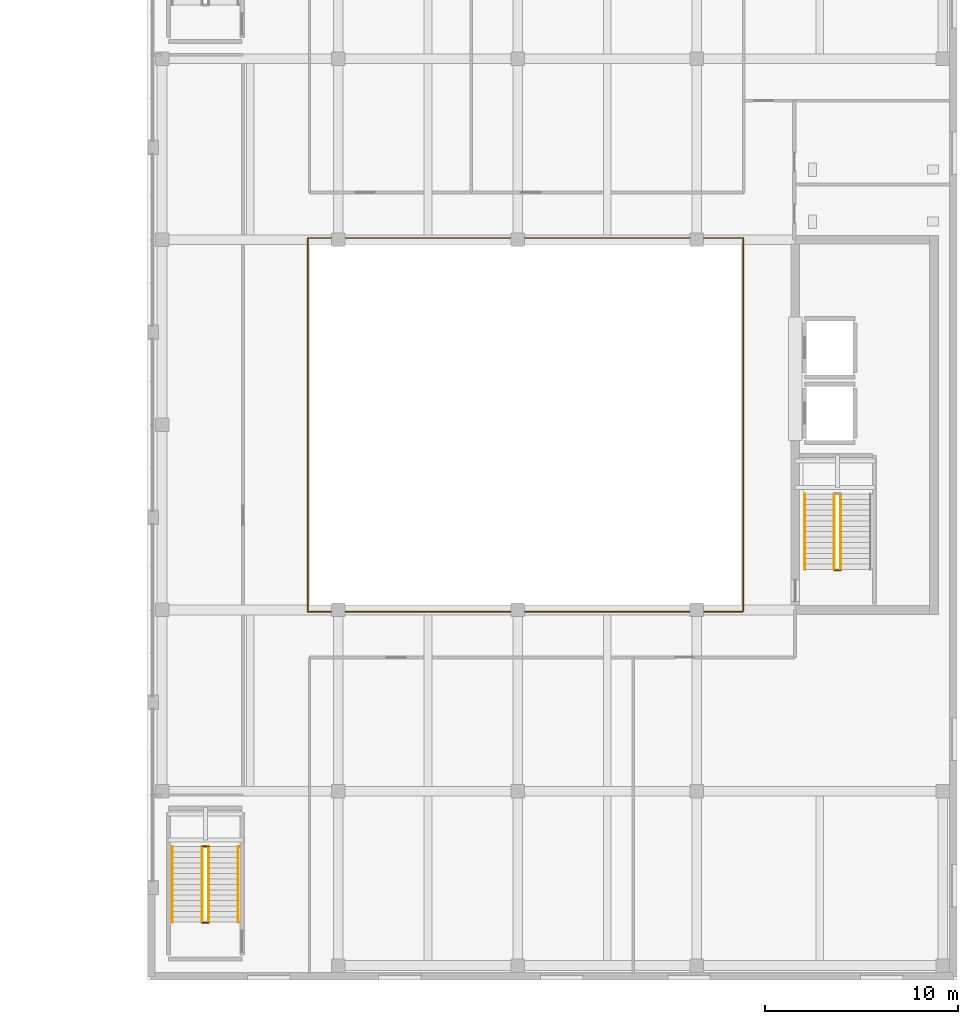
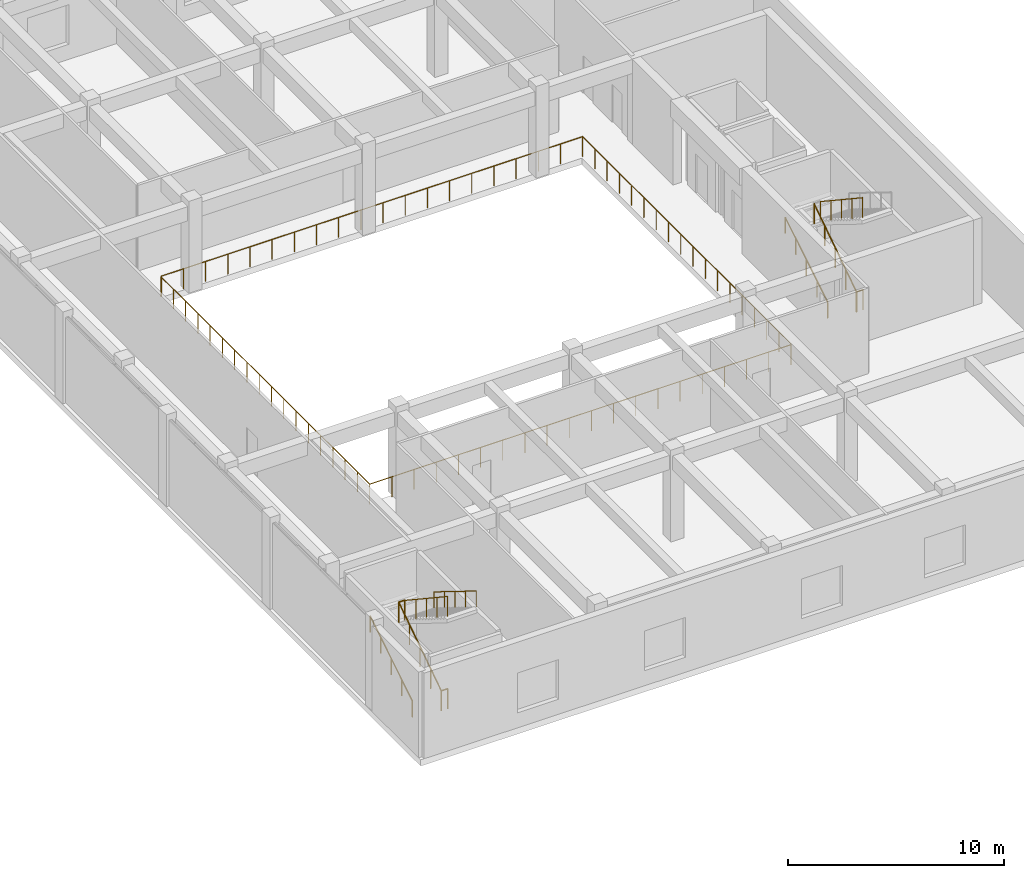
# One storey, part 20 of 22: 12 railings.
"""IFC4 building model written with IfcOpenShell, lengths in metres."""

from ifc_helpers import new_model, si_unit, direction, frame, origin, origin_2d, place, context, subcontext, project, spatial, circle, extrude, material, type_object, element, save


model = new_model("IFC4")

# Units and contexts
model_context = context("Model", 3, precision=1e-05, world=origin(), true_north=direction((0.0, 1.0)))
body_context = subcontext(model_context, "Body", "Model", "MODEL_VIEW")
ifc_project = project(units=[si_unit("LENGTHUNIT", "METRE"), si_unit("AREAUNIT", "SQUARE_METRE"), si_unit("VOLUMEUNIT", "CUBIC_METRE"), si_unit("PLANEANGLEUNIT", "RADIAN"), si_unit("MASSUNIT", "GRAM", prefix="KILO")], contexts=[model_context])

# Site, building, storey
site_placement = place(None, origin())
site = spatial("IfcSite", under=ifc_project, at=site_placement, CompositionType="ELEMENT")
building_placement = place(site_placement, origin())
building = spatial("IfcBuilding", under=site, at=building_placement, Name="Norrvale University Quadrangle", CompositionType="ELEMENT")
storey_placement = place(building_placement, frame((0.0, 0.0, 5.199951171875)))
storey = spatial("IfcBuildingStorey", under=building, at=storey_placement, Name="L01", CompositionType="ELEMENT", Elevation=5.199951171875)

# Railings
ifc_material_1 = material(Name="Steel 350W Painted Balustrade", Category="steel")
railing_type_1 = type_object("IfcRailingType", Name="Railing Stair Guard 1100", PredefinedType="GUARDRAIL", material=ifc_material_1)
railing_1_placement = place(storey_placement, frame((120.830078125, 21.27001953125, 0.0)))
element("IfcRailing", 1, at=railing_1_placement, inside=storey, type_object=railing_type_1, Name="Stair Floor Well Guard ST-L1 L01", PredefinedType="GUARDRAIL", context=body_context, shape_type="SweptSolid", body=[
    extrude(circle(Radius=0.02392578125, at=origin_2d()), frame((0.0, 0.0, 1.1259765625), z_axis=(1.0, 0.0, 0.0), x_axis=(0.0, 1.0, 0.0)), (0.0, 0.0, 1.0), 0.33984375),
    extrude(circle(Radius=0.02099609375, at=origin_2d()), origin(), (0.0, 0.0, 1.0), 1.101806640625),
    extrude(circle(Radius=0.02099609375, at=origin_2d()), frame((0.33984375, 0.0, 0.0)), (0.0, 0.0, 1.0), 1.101806640625),
])
railing_2_placement = place(storey_placement, frame((120.830078125, 21.300048828125, 0.0)))
element("IfcRailing", 2, at=railing_2_placement, inside=storey, type_object=railing_type_1, Name="Stair Lower Flight Inner Guard ST-L1 L01", PredefinedType="GUARDRAIL", context=body_context, shape_type="SweptSolid", body=[
    extrude(circle(Radius=0.02392578125, at=origin_2d()), frame((0.0, 0.0, 1.1259765625), z_axis=(0.0, 0.833341594215, 0.552758344444), x_axis=(-1.0, 0.0, 0.0)), (0.0, 0.0, 1.0), 4.703857421875),
    extrude(circle(Radius=0.02099609375, at=origin_2d()), origin(), (0.0, 0.0, 1.0), 1.101806640625),
    extrude(circle(Radius=0.02099609375, at=origin_2d()), frame((0.0, 0.97998046875, 0.64990234375)), (0.0, 0.0, 1.0), 1.101806640625),
    extrude(circle(Radius=0.02099609375, at=origin_2d()), frame((0.0, 1.9599609375, 1.300048828125)), (0.0, 0.0, 1.0), 1.101806640625),
    extrude(circle(Radius=0.02099609375, at=origin_2d()), frame((0.0, 2.93994140625, 1.9501953125)), (0.0, 0.0, 1.0), 1.101806640625),
    extrude(circle(Radius=0.02099609375, at=origin_2d()), frame((0.0, 3.919921875, 2.60009765625)), (0.0, 0.0, 1.0), 1.101806640625),
])
railing_3_placement = place(storey_placement, frame((121.169921875, 25.219970703125, 2.60009765625)))
element("IfcRailing", 3, at=railing_3_placement, inside=storey, type_object=railing_type_1, Name="Stair Upper Flight Inner Guard ST-L1 L01", PredefinedType="GUARDRAIL", context=body_context, shape_type="SweptSolid", body=[
    extrude(circle(Radius=0.02392578125, at=origin_2d()), frame((0.0, 0.0, 1.1259765625), z_axis=(0.0, -0.833365502166, 0.552722298989), x_axis=(1.0, 0.0, 0.0)), (0.0, 0.0, 1.0), 4.70361328125),
    extrude(circle(Radius=0.02099609375, at=origin_2d()), origin(), (0.0, 0.0, 1.0), 1.101806640625),
    extrude(circle(Radius=0.02099609375, at=origin_2d()), frame((0.0, -0.97998046875, 0.64990234375)), (0.0, 0.0, 1.0), 1.101806640625),
    extrude(circle(Radius=0.02099609375, at=origin_2d()), frame((0.0, -1.9599609375, 1.2998046875)), (0.0, 0.0, 1.0), 1.101806640625),
    extrude(circle(Radius=0.02099609375, at=origin_2d()), frame((0.0, -2.93994140625, 1.949951171875)), (0.0, 0.0, 1.0), 1.101806640625),
    extrude(circle(Radius=0.02099609375, at=origin_2d()), frame((0.0, -3.919921875, 2.599853515625)), (0.0, 0.0, 1.0), 1.101806640625),
])
for number, where, name in (
    (4, (88.030029296875, 2.969970703125, 0.0), "Stair Floor Well Guard ST-L2 L01"),
    (5, (88.030029296875, 6.949951171875, 2.60009765625), "Stair Mid-Landing Slot Guard ST-L2 L01"),
):
    element("IfcRailing", number, at=place(storey_placement, frame(where)), inside=storey, type_object=railing_type_1, Name=name, PredefinedType="GUARDRAIL", context=body_context, shape_type="SweptSolid", body=[
        extrude(circle(Radius=0.02392578125, at=origin_2d()), frame((0.0, 0.0, 1.1259765625), z_axis=(1.0, 0.0, 0.0), x_axis=(0.0, 1.0, 0.0)), (0.0, 0.0, 1.0), 0.340087890625),
        extrude(circle(Radius=0.02099609375, at=origin_2d()), origin(), (0.0, 0.0, 1.0), 1.101806640625),
        extrude(circle(Radius=0.02099609375, at=origin_2d()), frame((0.340087890625, 0.0, 0.0)), (0.0, 0.0, 1.0), 1.101806640625),
    ])
railing_4_placement = place(storey_placement, frame((88.030029296875, 3.0, 0.0)))
element("IfcRailing", 6, at=railing_4_placement, inside=storey, type_object=railing_type_1, Name="Stair Lower Flight Inner Guard ST-L2 L01", PredefinedType="GUARDRAIL", context=body_context, shape_type="SweptSolid", body=[
    extrude(circle(Radius=0.02392578125, at=origin_2d()), frame((0.0, 0.0, 1.1259765625), z_axis=(0.0, 0.833341594215, 0.552758344444), x_axis=(-1.0, 0.0, 0.0)), (0.0, 0.0, 1.0), 4.703857421875),
    extrude(circle(Radius=0.02099609375, at=origin_2d()), origin(), (0.0, 0.0, 1.0), 1.101806640625),
    extrude(circle(Radius=0.02099609375, at=origin_2d()), frame((0.0, 0.97998046875, 0.64990234375)), (0.0, 0.0, 1.0), 1.101806640625),
    extrude(circle(Radius=0.02099609375, at=origin_2d()), frame((0.0, 1.9599609375, 1.300048828125)), (0.0, 0.0, 1.0), 1.101806640625),
    extrude(circle(Radius=0.02099609375, at=origin_2d()), frame((0.0, 2.93994140625, 1.9501953125)), (0.0, 0.0, 1.0), 1.101806640625),
    extrude(circle(Radius=0.02099609375, at=origin_2d()), frame((0.0, 3.919921875, 2.60009765625)), (0.0, 0.0, 1.0), 1.101806640625),
])
railing_5_placement = place(storey_placement, frame((88.3701171875, 6.919921875, 2.60009765625)))
element("IfcRailing", 7, at=railing_5_placement, inside=storey, type_object=railing_type_1, Name="Stair Upper Flight Inner Guard ST-L2 L01", PredefinedType="GUARDRAIL", context=body_context, shape_type="SweptSolid", body=[
    extrude(circle(Radius=0.02392578125, at=origin_2d()), frame((0.0, 0.0, 1.1259765625), z_axis=(0.0, -0.833365502166, 0.552722298989), x_axis=(1.0, 0.0, 0.0)), (0.0, 0.0, 1.0), 4.70361328125),
    extrude(circle(Radius=0.02099609375, at=origin_2d()), origin(), (0.0, 0.0, 1.0), 1.101806640625),
    extrude(circle(Radius=0.02099609375, at=origin_2d()), frame((0.0, -0.97998046875, 0.64990234375)), (0.0, 0.0, 1.0), 1.101806640625),
    extrude(circle(Radius=0.02099609375, at=origin_2d()), frame((0.0, -1.9599609375, 1.2998046875)), (0.0, 0.0, 1.0), 1.101806640625),
    extrude(circle(Radius=0.02099609375, at=origin_2d()), frame((0.0, -2.93994140625, 1.949951171875)), (0.0, 0.0, 1.0), 1.101806640625),
    extrude(circle(Radius=0.02099609375, at=origin_2d()), frame((0.0, -3.919921875, 2.599853515625)), (0.0, 0.0, 1.0), 1.101806640625),
])
ifc_material_2 = material(Name="Stainless Steel 316L Handrail", Category="steel")
railing_type_2 = type_object("IfcRailingType", Name="Railing Stair Handrail 920", PredefinedType="HANDRAIL", material=ifc_material_2)
for number, where, name in (
    (8, (119.2900390625, 21.300048828125, 0.17333984375), "Stair Lower Flight Handrail ST-L1 L01"),
    (9, (86.489990234375, 3.0, 0.17333984375), "Stair Lower Flight Handrail ST-L2 L01"),
):
    element("IfcRailing", number, at=place(storey_placement, frame(where)), inside=storey, type_object=railing_type_2, Name=name, PredefinedType="HANDRAIL", context=body_context, shape_type="SweptSolid", body=[
        extrude(circle(Radius=0.02392578125, at=origin_2d()), frame((0.0, 0.0, 0.89599609375), z_axis=(0.0, 0.850251603719, 0.526376491091), x_axis=(-1.0, 0.0, 0.0)), (0.0, 0.0, 1.0), 4.6103515625),
        extrude(circle(Radius=0.02099609375, at=origin_2d()), origin(), (0.0, 0.0, 1.0), 0.871826171875),
        extrude(circle(Radius=0.02099609375, at=origin_2d()), frame((0.0, 0.97998046875, 0.606689453125)), (0.0, 0.0, 1.0), 0.871826171875),
        extrude(circle(Radius=0.02099609375, at=origin_2d()), frame((0.0, 1.9599609375, 1.21337890625)), (0.0, 0.0, 1.0), 0.871826171875),
        extrude(circle(Radius=0.02099609375, at=origin_2d()), frame((0.0, 2.93994140625, 1.820068359375)), (0.0, 0.0, 1.0), 0.871826171875),
        extrude(circle(Radius=0.02099609375, at=origin_2d()), frame((0.0, 3.919921875, 2.4267578125)), (0.0, 0.0, 1.0), 0.871826171875),
    ])
railing_6_placement = place(storey_placement, frame((89.909912109375, 6.919921875, 2.7734375)))
element("IfcRailing", 10, at=railing_6_placement, inside=storey, type_object=railing_type_2, Name="Stair Upper Flight Handrail ST-L2 L01", PredefinedType="HANDRAIL", context=body_context, shape_type="SweptSolid", body=[
    extrude(circle(Radius=0.02392578125, at=origin_2d()), frame((0.0, 0.0, 0.89599609375), z_axis=(0.0, -0.850275303828, 0.526338206574), x_axis=(1.0, 0.0, 0.0)), (0.0, 0.0, 1.0), 4.610107421875),
    extrude(circle(Radius=0.02099609375, at=origin_2d()), origin(), (0.0, 0.0, 1.0), 0.871826171875),
    extrude(circle(Radius=0.02099609375, at=origin_2d()), frame((0.0, -0.97998046875, 0.606689453125)), (0.0, 0.0, 1.0), 0.871826171875),
    extrude(circle(Radius=0.02099609375, at=origin_2d()), frame((0.0, -1.9599609375, 1.21337890625)), (0.0, 0.0, 1.0), 0.871826171875),
    extrude(circle(Radius=0.02099609375, at=origin_2d()), frame((0.0, -2.93994140625, 1.81982421875)), (0.0, 0.0, 1.0), 0.871826171875),
    extrude(circle(Radius=0.02099609375, at=origin_2d()), frame((0.0, -3.919921875, 2.426513671875)), (0.0, 0.0, 1.0), 0.871826171875),
])
ifc_material_3 = material(Name="Stainless Steel 316L Balustrade", Category="steel")
railing_type_3 = type_object("IfcRailingType", Name="Railing Terrace Guard 1150", PredefinedType="BALUSTRADE", material=ifc_material_3)
railing_7_placement = place(storey_placement, frame((93.5, 38.4599609375, 0.0)))
element("IfcRailing", 11, at=railing_7_placement, inside=storey, type_object=railing_type_3, Name="Central Library Atrium Balustrade SW L01", PredefinedType="BALUSTRADE", context=body_context, shape_type="SweptSolid", body=[
    extrude(circle(Radius=0.02392578125, at=origin_2d()), frame((0.0, 0.0, 1.1259765625), z_axis=(0.0, -1.0, 0.0), x_axis=(1.0, 0.0, 0.0)), (0.0, 0.0, 1.0), 19.35986328125),
    extrude(circle(Radius=0.02392578125, at=origin_2d()), frame((0.0, -19.35986328125, 1.1259765625), z_axis=(1.0, 0.0, 0.0), x_axis=(0.0, 1.0, 0.0)), (0.0, 0.0, 1.0), 22.56005859375),
    extrude(circle(Radius=0.02099609375, at=origin_2d()), origin(), (0.0, 0.0, 1.0), 1.101806640625),
    extrude(circle(Radius=0.02099609375, at=origin_2d()), frame((0.0, -1.138916015625, 0.0)), (0.0, 0.0, 1.0), 1.101806640625),
    extrude(circle(Radius=0.02099609375, at=origin_2d()), frame((0.0, -2.277587890625, 0.0)), (0.0, 0.0, 1.0), 1.101806640625),
    extrude(circle(Radius=0.02099609375, at=origin_2d()), frame((0.0, -3.41650390625, 0.0)), (0.0, 0.0, 1.0), 1.101806640625),
    extrude(circle(Radius=0.02099609375, at=origin_2d()), frame((0.0, -4.55517578125, 0.0)), (0.0, 0.0, 1.0), 1.101806640625),
    extrude(circle(Radius=0.02099609375, at=origin_2d()), frame((0.0, -5.694091796875, 0.0)), (0.0, 0.0, 1.0), 1.101806640625),
    extrude(circle(Radius=0.02099609375, at=origin_2d()), frame((0.0, -6.8330078125, 0.0)), (0.0, 0.0, 1.0), 1.101806640625),
    extrude(circle(Radius=0.02099609375, at=origin_2d()), frame((0.0, -7.9716796875, 0.0)), (0.0, 0.0, 1.0), 1.101806640625),
    extrude(circle(Radius=0.02099609375, at=origin_2d()), frame((0.0, -9.110595703125, 0.0)), (0.0, 0.0, 1.0), 1.101806640625),
    extrude(circle(Radius=0.02099609375, at=origin_2d()), frame((0.0, -10.249267578125, 0.0)), (0.0, 0.0, 1.0), 1.101806640625),
    extrude(circle(Radius=0.02099609375, at=origin_2d()), frame((0.0, -11.38818359375, 0.0)), (0.0, 0.0, 1.0), 1.101806640625),
    extrude(circle(Radius=0.02099609375, at=origin_2d()), frame((0.0, -12.52685546875, 0.0)), (0.0, 0.0, 1.0), 1.101806640625),
    extrude(circle(Radius=0.02099609375, at=origin_2d()), frame((0.0, -13.665771484375, 0.0)), (0.0, 0.0, 1.0), 1.101806640625),
    extrude(circle(Radius=0.02099609375, at=origin_2d()), frame((0.0, -14.8046875, 0.0)), (0.0, 0.0, 1.0), 1.101806640625),
    extrude(circle(Radius=0.02099609375, at=origin_2d()), frame((0.0, -15.943359375, 0.0)), (0.0, 0.0, 1.0), 1.101806640625),
    extrude(circle(Radius=0.02099609375, at=origin_2d()), frame((0.0, -17.082275390625, 0.0)), (0.0, 0.0, 1.0), 1.101806640625),
    extrude(circle(Radius=0.02099609375, at=origin_2d()), frame((0.0, -18.220947265625, 0.0)), (0.0, 0.0, 1.0), 1.101806640625),
    extrude(circle(Radius=0.02099609375, at=origin_2d()), frame((0.0, -19.35986328125, 0.0)), (0.0, 0.0, 1.0), 1.101806640625),
    extrude(circle(Radius=0.02099609375, at=origin_2d()), frame((1.187255859375, -19.35986328125, 0.0)), (0.0, 0.0, 1.0), 1.101806640625),
    extrude(circle(Radius=0.02099609375, at=origin_2d()), frame((2.374755859375, -19.35986328125, 0.0)), (0.0, 0.0, 1.0), 1.101806640625),
    extrude(circle(Radius=0.02099609375, at=origin_2d()), frame((3.56201171875, -19.35986328125, 0.0)), (0.0, 0.0, 1.0), 1.101806640625),
    extrude(circle(Radius=0.02099609375, at=origin_2d()), frame((4.74951171875, -19.35986328125, 0.0)), (0.0, 0.0, 1.0), 1.101806640625),
    extrude(circle(Radius=0.02099609375, at=origin_2d()), frame((5.936767578125, -19.35986328125, 0.0)), (0.0, 0.0, 1.0), 1.101806640625),
    extrude(circle(Radius=0.02099609375, at=origin_2d()), frame((7.124267578125, -19.35986328125, 0.0)), (0.0, 0.0, 1.0), 1.101806640625),
    extrude(circle(Radius=0.02099609375, at=origin_2d()), frame((8.3115234375, -19.35986328125, 0.0)), (0.0, 0.0, 1.0), 1.101806640625),
    extrude(circle(Radius=0.02099609375, at=origin_2d()), frame((9.4990234375, -19.35986328125, 0.0)), (0.0, 0.0, 1.0), 1.101806640625),
    extrude(circle(Radius=0.02099609375, at=origin_2d()), frame((10.686279296875, -19.35986328125, 0.0)), (0.0, 0.0, 1.0), 1.101806640625),
    extrude(circle(Radius=0.02099609375, at=origin_2d()), frame((11.873779296875, -19.35986328125, 0.0)), (0.0, 0.0, 1.0), 1.101806640625),
    extrude(circle(Radius=0.02099609375, at=origin_2d()), frame((13.06103515625, -19.35986328125, 0.0)), (0.0, 0.0, 1.0), 1.101806640625),
    extrude(circle(Radius=0.02099609375, at=origin_2d()), frame((14.24853515625, -19.35986328125, 0.0)), (0.0, 0.0, 1.0), 1.101806640625),
    extrude(circle(Radius=0.02099609375, at=origin_2d()), frame((15.435791015625, -19.35986328125, 0.0)), (0.0, 0.0, 1.0), 1.101806640625),
    extrude(circle(Radius=0.02099609375, at=origin_2d()), frame((16.623291015625, -19.35986328125, 0.0)), (0.0, 0.0, 1.0), 1.101806640625),
    extrude(circle(Radius=0.02099609375, at=origin_2d()), frame((17.810546875, -19.35986328125, 0.0)), (0.0, 0.0, 1.0), 1.101806640625),
    extrude(circle(Radius=0.02099609375, at=origin_2d()), frame((18.998046875, -19.35986328125, 0.0)), (0.0, 0.0, 1.0), 1.101806640625),
    extrude(circle(Radius=0.02099609375, at=origin_2d()), frame((20.185302734375, -19.35986328125, 0.0)), (0.0, 0.0, 1.0), 1.101806640625),
    extrude(circle(Radius=0.02099609375, at=origin_2d()), frame((21.372802734375, -19.35986328125, 0.0)), (0.0, 0.0, 1.0), 1.101806640625),
    extrude(circle(Radius=0.02099609375, at=origin_2d()), frame((22.56005859375, -19.35986328125, 0.0)), (0.0, 0.0, 1.0), 1.101806640625),
])
railing_8_placement = place(storey_placement, frame((93.5400390625, 38.5, 0.0)))
element("IfcRailing", 12, at=railing_8_placement, inside=storey, type_object=railing_type_3, Name="Central Library Atrium Balustrade NE L01", PredefinedType="BALUSTRADE", context=body_context, shape_type="SweptSolid", body=[
    extrude(circle(Radius=0.02392578125, at=origin_2d()), frame((0.0, 0.0, 1.1259765625), z_axis=(1.0, 0.0, 0.0), x_axis=(0.0, 1.0, 0.0)), (0.0, 0.0, 1.0), 22.56005859375),
    extrude(circle(Radius=0.02392578125, at=origin_2d()), frame((22.56005859375, 0.0, 1.1259765625), z_axis=(0.0, -1.0, 0.0), x_axis=(1.0, 0.0, 0.0)), (0.0, 0.0, 1.0), 19.360107421875),
    extrude(circle(Radius=0.02099609375, at=origin_2d()), origin(), (0.0, 0.0, 1.0), 1.101806640625),
    extrude(circle(Radius=0.02099609375, at=origin_2d()), frame((1.187255859375, 0.0, 0.0)), (0.0, 0.0, 1.0), 1.101806640625),
    extrude(circle(Radius=0.02099609375, at=origin_2d()), frame((2.374755859375, 0.0, 0.0)), (0.0, 0.0, 1.0), 1.101806640625),
    extrude(circle(Radius=0.02099609375, at=origin_2d()), frame((3.56201171875, 0.0, 0.0)), (0.0, 0.0, 1.0), 1.101806640625),
    extrude(circle(Radius=0.02099609375, at=origin_2d()), frame((4.74951171875, 0.0, 0.0)), (0.0, 0.0, 1.0), 1.101806640625),
    extrude(circle(Radius=0.02099609375, at=origin_2d()), frame((5.936767578125, 0.0, 0.0)), (0.0, 0.0, 1.0), 1.101806640625),
    extrude(circle(Radius=0.02099609375, at=origin_2d()), frame((7.124267578125, 0.0, 0.0)), (0.0, 0.0, 1.0), 1.101806640625),
    extrude(circle(Radius=0.02099609375, at=origin_2d()), frame((8.3115234375, 0.0, 0.0)), (0.0, 0.0, 1.0), 1.101806640625),
    extrude(circle(Radius=0.02099609375, at=origin_2d()), frame((9.4990234375, 0.0, 0.0)), (0.0, 0.0, 1.0), 1.101806640625),
    extrude(circle(Radius=0.02099609375, at=origin_2d()), frame((10.686279296875, 0.0, 0.0)), (0.0, 0.0, 1.0), 1.101806640625),
    extrude(circle(Radius=0.02099609375, at=origin_2d()), frame((11.873779296875, 0.0, 0.0)), (0.0, 0.0, 1.0), 1.101806640625),
    extrude(circle(Radius=0.02099609375, at=origin_2d()), frame((13.06103515625, 0.0, 0.0)), (0.0, 0.0, 1.0), 1.101806640625),
    extrude(circle(Radius=0.02099609375, at=origin_2d()), frame((14.24853515625, 0.0, 0.0)), (0.0, 0.0, 1.0), 1.101806640625),
    extrude(circle(Radius=0.02099609375, at=origin_2d()), frame((15.435791015625, 0.0, 0.0)), (0.0, 0.0, 1.0), 1.101806640625),
    extrude(circle(Radius=0.02099609375, at=origin_2d()), frame((16.623291015625, 0.0, 0.0)), (0.0, 0.0, 1.0), 1.101806640625),
    extrude(circle(Radius=0.02099609375, at=origin_2d()), frame((17.810546875, 0.0, 0.0)), (0.0, 0.0, 1.0), 1.101806640625),
    extrude(circle(Radius=0.02099609375, at=origin_2d()), frame((18.998046875, 0.0, 0.0)), (0.0, 0.0, 1.0), 1.101806640625),
    extrude(circle(Radius=0.02099609375, at=origin_2d()), frame((20.185302734375, 0.0, 0.0)), (0.0, 0.0, 1.0), 1.101806640625),
    extrude(circle(Radius=0.02099609375, at=origin_2d()), frame((21.372802734375, 0.0, 0.0)), (0.0, 0.0, 1.0), 1.101806640625),
    extrude(circle(Radius=0.02099609375, at=origin_2d()), frame((22.56005859375, 0.0, 0.0)), (0.0, 0.0, 1.0), 1.101806640625),
    extrude(circle(Radius=0.02099609375, at=origin_2d()), frame((22.56005859375, -1.138916015625, 0.0)), (0.0, 0.0, 1.0), 1.101806640625),
    extrude(circle(Radius=0.02099609375, at=origin_2d()), frame((22.56005859375, -2.277587890625, 0.0)), (0.0, 0.0, 1.0), 1.101806640625),
    extrude(circle(Radius=0.02099609375, at=origin_2d()), frame((22.56005859375, -3.41650390625, 0.0)), (0.0, 0.0, 1.0), 1.101806640625),
    extrude(circle(Radius=0.02099609375, at=origin_2d()), frame((22.56005859375, -4.555419921875, 0.0)), (0.0, 0.0, 1.0), 1.101806640625),
    extrude(circle(Radius=0.02099609375, at=origin_2d()), frame((22.56005859375, -5.694091796875, 0.0)), (0.0, 0.0, 1.0), 1.101806640625),
    extrude(circle(Radius=0.02099609375, at=origin_2d()), frame((22.56005859375, -6.8330078125, 0.0)), (0.0, 0.0, 1.0), 1.101806640625),
    extrude(circle(Radius=0.02099609375, at=origin_2d()), frame((22.56005859375, -7.971923828125, 0.0)), (0.0, 0.0, 1.0), 1.101806640625),
    extrude(circle(Radius=0.02099609375, at=origin_2d()), frame((22.56005859375, -9.110595703125, 0.0)), (0.0, 0.0, 1.0), 1.101806640625),
    extrude(circle(Radius=0.02099609375, at=origin_2d()), frame((22.56005859375, -10.24951171875, 0.0)), (0.0, 0.0, 1.0), 1.101806640625),
    extrude(circle(Radius=0.02099609375, at=origin_2d()), frame((22.56005859375, -11.38818359375, 0.0)), (0.0, 0.0, 1.0), 1.101806640625),
    extrude(circle(Radius=0.02099609375, at=origin_2d()), frame((22.56005859375, -12.527099609375, 0.0)), (0.0, 0.0, 1.0), 1.101806640625),
    extrude(circle(Radius=0.02099609375, at=origin_2d()), frame((22.56005859375, -13.666015625, 0.0)), (0.0, 0.0, 1.0), 1.101806640625),
    extrude(circle(Radius=0.02099609375, at=origin_2d()), frame((22.56005859375, -14.8046875, 0.0)), (0.0, 0.0, 1.0), 1.101806640625),
    extrude(circle(Radius=0.02099609375, at=origin_2d()), frame((22.56005859375, -15.943603515625, 0.0)), (0.0, 0.0, 1.0), 1.101806640625),
    extrude(circle(Radius=0.02099609375, at=origin_2d()), frame((22.56005859375, -17.08251953125, 0.0)), (0.0, 0.0, 1.0), 1.101806640625),
    extrude(circle(Radius=0.02099609375, at=origin_2d()), frame((22.56005859375, -18.22119140625, 0.0)), (0.0, 0.0, 1.0), 1.101806640625),
    extrude(circle(Radius=0.02099609375, at=origin_2d()), frame((22.56005859375, -19.360107421875, 0.0)), (0.0, 0.0, 1.0), 1.101806640625),
])

save(model, "model.ifc")
